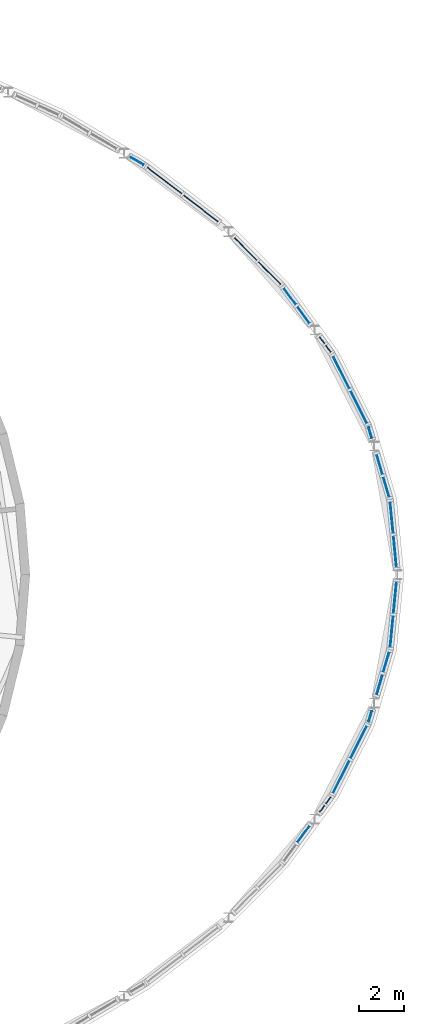
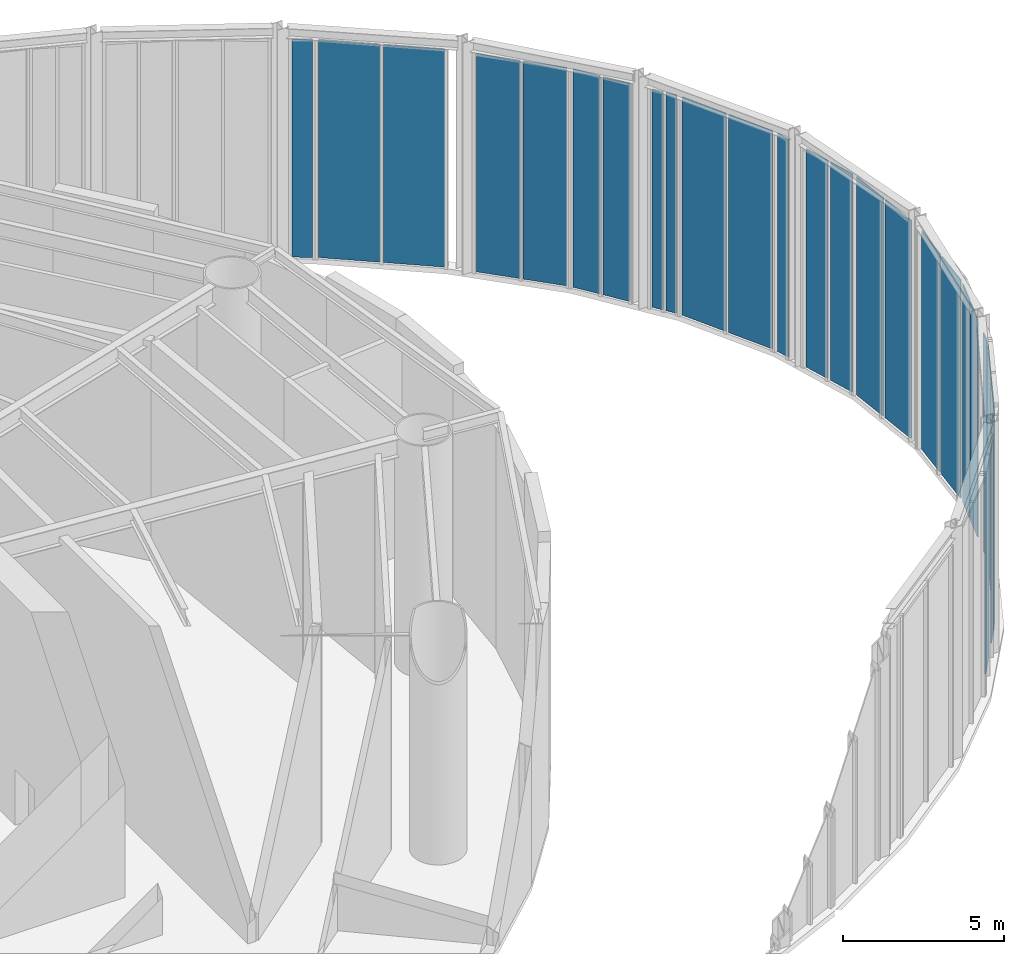
# One storey, part 13 of 19: 26 plates, 15 elements without a shape of their own.
"""IFC4 building model written with IfcOpenShell, lengths in metres."""

from ifc_helpers import new_model, si_unit, direction, frame, origin, origin_2d, place, context, subcontext, project, spatial, rectangle, extrude, material, layer, layer_set, type_object, element, aggregate, save


model = new_model("IFC4")

# Units and contexts
model_context = context("Model", 3, precision=1e-05, world=origin(), true_north=direction((0.0, 1.0)))
body_context = subcontext(model_context, "Body", "Model", "MODEL_VIEW")
ifc_project = project(units=[si_unit("LENGTHUNIT", "METRE"), si_unit("AREAUNIT", "SQUARE_METRE"), si_unit("VOLUMEUNIT", "CUBIC_METRE"), si_unit("PLANEANGLEUNIT", "RADIAN"), si_unit("MASSUNIT", "GRAM", prefix="KILO")], contexts=[model_context])

# Site, building, storey
site_placement = place(None, origin())
site = spatial("IfcSite", under=ifc_project, at=site_placement, CompositionType="ELEMENT")
building_placement = place(site_placement, origin())
building = spatial("IfcBuilding", under=site, at=building_placement, Name="Vermilion Reach Broadcast Tower", CompositionType="ELEMENT")
storey_placement = place(building_placement, frame((0.0, 0.0, 8.0)))
storey = spatial("IfcBuildingStorey", under=building, at=storey_placement, Name="L01", CompositionType="ELEMENT", Elevation=8.0)

# Curtain wall, plate
ifc_material_1 = material(Name="Low-e laminated clear glass in aluminium frame", Category="aluminium")
curtain_wall_type = type_object("IfcCurtainWallType", Name="Atrium outer wall curtain wall", PredefinedType="NOTDEFINED", material=ifc_material_1)
placement = place(storey_placement, origin())
curtain_wall_1 = element("IfcCurtainWall", 1, at=placement, inside=storey, type_object=curtain_wall_type, Name="Atrium wall L01 08-1", PredefinedType="NOTDEFINED")
ifc_material_2 = material(Name="Low-e laminated clear glass", Category="glass")
ifc_layer = layer(ifc_material_2, 0.035888671875)
ifc_layer_set = layer_set([ifc_layer], Name="Atrium outer wall glass panel")
plate_type = type_object("IfcPlateType", Name="Atrium outer wall glass panel", PredefinedType="CURTAIN_PANEL", material=ifc_layer_set)
plate_1_placement = place(storey_placement, frame((35.539794921875, -11.52294921875, 0.0), z_axis=(0.0, 0.0, 1.0), x_axis=(0.590759824697, 0.806847463604, 0.0)))
plate_1 = element("IfcPlate", 2, at=plate_1_placement, type_object=plate_type, Name="Atrium wall glass panel L01 08-1.2.1", PredefinedType="CURTAIN_PANEL", context=body_context, shape_type="SweptSolid", body=[
    extrude(rectangle(XDim=0.92578125, YDim=0.035888671875, at=origin_2d()), origin(), (0.0, 0.0, 1.0), 8.2900390625),
])
aggregate(curtain_wall_1, [plate_1])

# Curtain wall, plates
curtain_wall_2 = element("IfcCurtainWall", 3, at=placement, inside=storey, type_object=curtain_wall_type, Name="Atrium wall L01 08-2", PredefinedType="NOTDEFINED")
plate_2_placement = place(storey_placement, frame((36.36328125, -10.39794921875, 0.0), z_axis=(0.0, 0.0, 1.0), x_axis=(0.590759824697, 0.806847463604, 0.0)))
plate_2 = element("IfcPlate", 4, at=plate_2_placement, type_object=plate_type, Name="Atrium wall glass panel L01 08-2.1.1", PredefinedType="CURTAIN_PANEL", context=body_context, shape_type="SweptSolid", body=[
    extrude(rectangle(XDim=0.36669921875, YDim=0.035888671875, at=origin_2d()), origin(), (0.0, 0.0, 1.0), 8.2900390625),
])
plate_3_placement = place(storey_placement, frame((36.63916015625, -10.021240234375, 0.0), z_axis=(0.0, 0.0, 1.0), x_axis=(0.590759824697, 0.806847463604, 0.0)))
plate_3 = element("IfcPlate", 5, at=plate_3_placement, type_object=plate_type, Name="Atrium wall glass panel L01 08-2.2.1", PredefinedType="CURTAIN_PANEL", context=body_context, shape_type="SweptSolid", body=[
    extrude(rectangle(XDim=0.36669921875, YDim=0.035888671875, at=origin_2d()), origin(), (0.0, 0.0, 1.0), 8.2900390625),
])
aggregate(curtain_wall_2, [plate_2, plate_3])

curtain_wall_3 = element("IfcCurtainWall", 6, at=placement, inside=storey, type_object=curtain_wall_type, Name="Atrium wall L01 09", PredefinedType="NOTDEFINED")
plate_4_placement = place(storey_placement, frame((37.2177734375, -8.976806640625, 0.0), z_axis=(0.0, 0.0, 1.0), x_axis=(0.450071784356, 0.892992378986, 0.0)))
plate_4 = element("IfcPlate", 7, at=plate_4_placement, type_object=plate_type, Name="Atrium wall glass panel L01 09.1.1", PredefinedType="CURTAIN_PANEL", context=body_context, shape_type="SweptSolid", body=[
    extrude(rectangle(XDim=1.627197265625, YDim=0.035888671875, at=origin_2d()), origin(), (0.0, 0.0, 1.0), 8.2900390625),
])
plate_5_placement = place(storey_placement, frame((37.9951171875, -7.434326171875, 0.0), z_axis=(0.0, 0.0, 1.0), x_axis=(0.450071784356, 0.892992378986, 0.0)))
plate_5 = element("IfcPlate", 8, at=plate_5_placement, type_object=plate_type, Name="Atrium wall glass panel L01 09.2.1", PredefinedType="CURTAIN_PANEL", context=body_context, shape_type="SweptSolid", body=[
    extrude(rectangle(XDim=1.627197265625, YDim=0.035888671875, at=origin_2d()), origin(), (0.0, 0.0, 1.0), 8.2900390625),
])
aggregate(curtain_wall_3, [plate_4, plate_5])

# Curtain wall, plate
curtain_wall_4 = element("IfcCurtainWall", 9, at=placement, inside=storey, type_object=curtain_wall_type, Name="Atrium wall L01 10-1", PredefinedType="NOTDEFINED")
plate_6_placement = place(storey_placement, frame((38.5029296875, -6.291259765625, 0.0), z_axis=(0.0, 0.0, 1.0), x_axis=(0.283245086397, 0.959047559317, 0.0)))
plate_6 = element("IfcPlate", 10, at=plate_6_placement, type_object=plate_type, Name="Atrium wall glass panel L01 10-1.1.1", PredefinedType="CURTAIN_PANEL", context=body_context, shape_type="SweptSolid", body=[
    extrude(rectangle(XDim=0.48193359375, YDim=0.035888671875, at=origin_2d()), origin(), (0.0, 0.0, 1.0), 8.2900390625),
])
aggregate(curtain_wall_4, [plate_6])

# Curtain wall, plates
curtain_wall_5 = element("IfcCurtainWall", 11, at=placement, inside=storey, type_object=curtain_wall_type, Name="Atrium wall L01 10-2", PredefinedType="NOTDEFINED")
plate_7_placement = place(storey_placement, frame((38.917236328125, -4.88916015625, 0.0), z_axis=(0.0, 0.0, 1.0), x_axis=(0.283245086397, 0.959047559317, 0.0)))
plate_7 = element("IfcPlate", 12, at=plate_7_placement, type_object=plate_type, Name="Atrium wall glass panel L01 10-2.1.1", PredefinedType="CURTAIN_PANEL", context=body_context, shape_type="SweptSolid", body=[
    extrude(rectangle(XDim=0.9462890625, YDim=0.035888671875, at=origin_2d()), origin(), (0.0, 0.0, 1.0), 8.2900390625),
])
plate_8_placement = place(storey_placement, frame((39.21337890625, -3.8857421875, 0.0), z_axis=(0.0, 0.0, 1.0), x_axis=(0.283245086397, 0.959047559317, 0.0)))
plate_8 = element("IfcPlate", 13, at=plate_8_placement, type_object=plate_type, Name="Atrium wall glass panel L01 10-2.2.1", PredefinedType="CURTAIN_PANEL", context=body_context, shape_type="SweptSolid", body=[
    extrude(rectangle(XDim=0.9462890625, YDim=0.035888671875, at=origin_2d()), origin(), (0.0, 0.0, 1.0), 8.2900390625),
])
aggregate(curtain_wall_5, [plate_7, plate_8])

curtain_wall_6 = element("IfcCurtainWall", 14, at=placement, inside=storey, type_object=curtain_wall_type, Name="Atrium wall L01 11", PredefinedType="NOTDEFINED")
plate_9_placement = place(storey_placement, frame((39.4541015625, -2.530517578125, 0.0), z_axis=(0.0, 0.0, 1.0), x_axis=(0.096860665643, 0.995297951094, 0.0)))
plate_9 = element("IfcPlate", 15, at=plate_9_placement, type_object=plate_type, Name="Atrium wall glass panel L01 11.1.1", PredefinedType="CURTAIN_PANEL", context=body_context, shape_type="SweptSolid", body=[
    extrude(rectangle(XDim=1.4189453125, YDim=0.035888671875, at=origin_2d()), origin(), (0.0, 0.0, 1.0), 8.2900390625),
])
plate_10_placement = place(storey_placement, frame((39.601318359375, -1.0185546875, 0.0), z_axis=(0.0, 0.0, 1.0), x_axis=(0.096860665643, 0.995297951094, 0.0)))
plate_10 = element("IfcPlate", 16, at=plate_10_placement, type_object=plate_type, Name="Atrium wall glass panel L01 11.2.1", PredefinedType="CURTAIN_PANEL", context=body_context, shape_type="SweptSolid", body=[
    extrude(rectangle(XDim=1.4189453125, YDim=0.035888671875, at=origin_2d()), origin(), (0.0, 0.0, 1.0), 8.2900390625),
])
aggregate(curtain_wall_6, [plate_9, plate_10])

curtain_wall_7 = element("IfcCurtainWall", 17, at=placement, inside=storey, type_object=curtain_wall_type, Name="Atrium wall L01 12", PredefinedType="NOTDEFINED")
plate_11_placement = place(storey_placement, frame((39.601318359375, 1.0185546875, 0.0), z_axis=(0.0, 0.0, 1.0), x_axis=(-0.096860665643, 0.995297951094, 0.0)))
plate_11 = element("IfcPlate", 18, at=plate_11_placement, type_object=plate_type, Name="Atrium wall glass panel L01 12.1.1", PredefinedType="CURTAIN_PANEL", context=body_context, shape_type="SweptSolid", body=[
    extrude(rectangle(XDim=1.4189453125, YDim=0.035888671875, at=origin_2d()), origin(), (0.0, 0.0, 1.0), 8.2900390625),
])
plate_12_placement = place(storey_placement, frame((39.4541015625, 2.530517578125, 0.0), z_axis=(0.0, 0.0, 1.0), x_axis=(-0.096860665643, 0.995297951094, 0.0)))
plate_12 = element("IfcPlate", 19, at=plate_12_placement, type_object=plate_type, Name="Atrium wall glass panel L01 12.2.1", PredefinedType="CURTAIN_PANEL", context=body_context, shape_type="SweptSolid", body=[
    extrude(rectangle(XDim=1.4189453125, YDim=0.035888671875, at=origin_2d()), origin(), (0.0, 0.0, 1.0), 8.2900390625),
])
aggregate(curtain_wall_7, [plate_11, plate_12])

curtain_wall_8 = element("IfcCurtainWall", 20, at=placement, inside=storey, type_object=curtain_wall_type, Name="Atrium wall L01 13-1", PredefinedType="NOTDEFINED")
plate_13_placement = place(storey_placement, frame((39.21337890625, 3.8857421875, 0.0), z_axis=(0.0, 0.0, 1.0), x_axis=(-0.283245086397, 0.959047559317, 0.0)))
plate_13 = element("IfcPlate", 21, at=plate_13_placement, type_object=plate_type, Name="Atrium wall glass panel L01 13-1.1.1", PredefinedType="CURTAIN_PANEL", context=body_context, shape_type="SweptSolid", body=[
    extrude(rectangle(XDim=0.9462890625, YDim=0.035888671875, at=origin_2d()), origin(), (0.0, 0.0, 1.0), 8.2900390625),
])
plate_14_placement = place(storey_placement, frame((38.917236328125, 4.88916015625, 0.0), z_axis=(0.0, 0.0, 1.0), x_axis=(-0.283245086397, 0.959047559317, 0.0)))
plate_14 = element("IfcPlate", 22, at=plate_14_placement, type_object=plate_type, Name="Atrium wall glass panel L01 13-1.2.1", PredefinedType="CURTAIN_PANEL", context=body_context, shape_type="SweptSolid", body=[
    extrude(rectangle(XDim=0.9462890625, YDim=0.035888671875, at=origin_2d()), origin(), (0.0, 0.0, 1.0), 8.2900390625),
])
aggregate(curtain_wall_8, [plate_13, plate_14])

# Curtain wall, plate
curtain_wall_9 = element("IfcCurtainWall", 23, at=placement, inside=storey, type_object=curtain_wall_type, Name="Atrium wall L01 13-2", PredefinedType="NOTDEFINED")
plate_15_placement = place(storey_placement, frame((38.5029296875, 6.291259765625, 0.0), z_axis=(0.0, 0.0, 1.0), x_axis=(-0.283245086397, 0.959047559317, 0.0)))
plate_15 = element("IfcPlate", 24, at=plate_15_placement, type_object=plate_type, Name="Atrium wall glass panel L01 13-2.1.1", PredefinedType="CURTAIN_PANEL", context=body_context, shape_type="SweptSolid", body=[
    extrude(rectangle(XDim=0.48193359375, YDim=0.035888671875, at=origin_2d()), origin(), (0.0, 0.0, 1.0), 8.2900390625),
])
aggregate(curtain_wall_9, [plate_15])

# Curtain wall, plates
curtain_wall_10 = element("IfcCurtainWall", 25, at=placement, inside=storey, type_object=curtain_wall_type, Name="Atrium wall L01 14", PredefinedType="NOTDEFINED")
plate_16_placement = place(storey_placement, frame((37.9951171875, 7.434326171875, 0.0), z_axis=(0.0, 0.0, 1.0), x_axis=(-0.450071784356, 0.892992378986, 0.0)))
plate_16 = element("IfcPlate", 26, at=plate_16_placement, type_object=plate_type, Name="Atrium wall glass panel L01 14.1.1", PredefinedType="CURTAIN_PANEL", context=body_context, shape_type="SweptSolid", body=[
    extrude(rectangle(XDim=1.627197265625, YDim=0.035888671875, at=origin_2d()), origin(), (0.0, 0.0, 1.0), 8.2900390625),
])
plate_17_placement = place(storey_placement, frame((37.2177734375, 8.976806640625, 0.0), z_axis=(0.0, 0.0, 1.0), x_axis=(-0.450071784356, 0.892992378986, 0.0)))
plate_17 = element("IfcPlate", 27, at=plate_17_placement, type_object=plate_type, Name="Atrium wall glass panel L01 14.2.1", PredefinedType="CURTAIN_PANEL", context=body_context, shape_type="SweptSolid", body=[
    extrude(rectangle(XDim=1.627197265625, YDim=0.035888671875, at=origin_2d()), origin(), (0.0, 0.0, 1.0), 8.2900390625),
])
aggregate(curtain_wall_10, [plate_16, plate_17])

curtain_wall_11 = element("IfcCurtainWall", 28, at=placement, inside=storey, type_object=curtain_wall_type, Name="Atrium wall L01 15-1", PredefinedType="NOTDEFINED")
plate_18_placement = place(storey_placement, frame((36.63916015625, 10.021240234375, 0.0), z_axis=(0.0, 0.0, 1.0), x_axis=(-0.590759824697, 0.806847463604, 0.0)))
plate_18 = element("IfcPlate", 29, at=plate_18_placement, type_object=plate_type, Name="Atrium wall glass panel L01 15-1.1.1", PredefinedType="CURTAIN_PANEL", context=body_context, shape_type="SweptSolid", body=[
    extrude(rectangle(XDim=0.36669921875, YDim=0.035888671875, at=origin_2d()), origin(), (0.0, 0.0, 1.0), 8.2900390625),
])
plate_19_placement = place(storey_placement, frame((36.36328125, 10.39794921875, 0.0), z_axis=(0.0, 0.0, 1.0), x_axis=(-0.590759824697, 0.806847463604, 0.0)))
plate_19 = element("IfcPlate", 30, at=plate_19_placement, type_object=plate_type, Name="Atrium wall glass panel L01 15-1.2.1", PredefinedType="CURTAIN_PANEL", context=body_context, shape_type="SweptSolid", body=[
    extrude(rectangle(XDim=0.36669921875, YDim=0.035888671875, at=origin_2d()), origin(), (0.0, 0.0, 1.0), 8.2900390625),
])
aggregate(curtain_wall_11, [plate_18, plate_19])

curtain_wall_12 = element("IfcCurtainWall", 31, at=placement, inside=storey, type_object=curtain_wall_type, Name="Atrium wall L01 15-2", PredefinedType="NOTDEFINED")
plate_20_placement = place(storey_placement, frame((35.539794921875, 11.52294921875, 0.0), z_axis=(0.0, 0.0, 1.0), x_axis=(-0.590759824697, 0.806847463604, 0.0)))
plate_20 = element("IfcPlate", 32, at=plate_20_placement, type_object=plate_type, Name="Atrium wall glass panel L01 15-2.1.1", PredefinedType="CURTAIN_PANEL", context=body_context, shape_type="SweptSolid", body=[
    extrude(rectangle(XDim=0.92578125, YDim=0.035888671875, at=origin_2d()), origin(), (0.0, 0.0, 1.0), 8.2900390625),
])
plate_21_placement = place(storey_placement, frame((34.93359375, 12.3505859375, 0.0), z_axis=(0.0, 0.0, 1.0), x_axis=(-0.590759824697, 0.806847463604, 0.0)))
plate_21 = element("IfcPlate", 33, at=plate_21_placement, type_object=plate_type, Name="Atrium wall glass panel L01 15-2.2.1", PredefinedType="CURTAIN_PANEL", context=body_context, shape_type="SweptSolid", body=[
    extrude(rectangle(XDim=0.92578125, YDim=0.035888671875, at=origin_2d()), origin(), (0.0, 0.0, 1.0), 8.2900390625),
])
aggregate(curtain_wall_12, [plate_20, plate_21])

curtain_wall_13 = element("IfcCurtainWall", 34, at=placement, inside=storey, type_object=curtain_wall_type, Name="Atrium wall L01 16", PredefinedType="NOTDEFINED")
plate_22_placement = place(storey_placement, frame((34.034423828125, 13.3759765625, 0.0), z_axis=(0.0, 0.0, 1.0), x_axis=(-0.704276337997, 0.709925939614, 0.0)))
plate_22 = element("IfcPlate", 35, at=plate_22_placement, type_object=plate_type, Name="Atrium wall glass panel L01 16.1.1", PredefinedType="CURTAIN_PANEL", context=body_context, shape_type="SweptSolid", body=[
    extrude(rectangle(XDim=1.4091796875, YDim=0.035888671875, at=origin_2d()), origin(), (0.0, 0.0, 1.0), 8.2900390625),
])
plate_23_placement = place(storey_placement, frame((32.971435546875, 14.447509765625, 0.0), z_axis=(0.0, 0.0, 1.0), x_axis=(-0.704276337997, 0.709925939614, 0.0)))
plate_23 = element("IfcPlate", 36, at=plate_23_placement, type_object=plate_type, Name="Atrium wall glass panel L01 16.2.1", PredefinedType="CURTAIN_PANEL", context=body_context, shape_type="SweptSolid", body=[
    extrude(rectangle(XDim=1.4091796875, YDim=0.035888671875, at=origin_2d()), origin(), (0.0, 0.0, 1.0), 8.2900390625),
])
aggregate(curtain_wall_13, [plate_22, plate_23])

curtain_wall_14 = element("IfcCurtainWall", 37, at=placement, inside=storey, type_object=curtain_wall_type, Name="Atrium wall L01 17", PredefinedType="NOTDEFINED")
plate_24_placement = place(storey_placement, frame((30.981201171875, 16.2509765625, 0.0), z_axis=(0.0, 0.0, 1.0), x_axis=(-0.793082736826, 0.609113924113, 0.0)))
plate_24 = element("IfcPlate", 38, at=plate_24_placement, type_object=plate_type, Name="Atrium wall glass panel L01 17.1.1", PredefinedType="CURTAIN_PANEL", context=body_context, shape_type="SweptSolid", body=[
    extrude(rectangle(XDim=1.9296875, YDim=0.035888671875, at=origin_2d()), origin(), (0.0, 0.0, 1.0), 8.2900390625),
])
plate_25_placement = place(storey_placement, frame((29.37158203125, 17.4873046875, 0.0), z_axis=(0.0, 0.0, 1.0), x_axis=(-0.793082736826, 0.609113924113, 0.0)))
plate_25 = element("IfcPlate", 39, at=plate_25_placement, type_object=plate_type, Name="Atrium wall glass panel L01 17.2.1", PredefinedType="CURTAIN_PANEL", context=body_context, shape_type="SweptSolid", body=[
    extrude(rectangle(XDim=1.9296875, YDim=0.035888671875, at=origin_2d()), origin(), (0.0, 0.0, 1.0), 8.2900390625),
])
aggregate(curtain_wall_14, [plate_24, plate_25])

# Curtain wall, plate
curtain_wall_15 = element("IfcCurtainWall", 40, at=placement, inside=storey, type_object=curtain_wall_type, Name="Atrium wall L01 18-1", PredefinedType="NOTDEFINED")
plate_26_placement = place(storey_placement, frame((28.166748046875, 18.348876953125, 0.0), z_axis=(0.0, 0.0, 1.0), x_axis=(-0.861009057017, 0.508589622127, 0.0)))
plate_26 = element("IfcPlate", 41, at=plate_26_placement, type_object=plate_type, Name="Atrium wall glass panel L01 18-1.1.1", PredefinedType="CURTAIN_PANEL", context=body_context, shape_type="SweptSolid", body=[
    extrude(rectangle(XDim=0.636474609375, YDim=0.035888671875, at=origin_2d()), origin(), (0.0, 0.0, 1.0), 8.2900390625),
])
aggregate(curtain_wall_15, [plate_26])

save(model, "model.ifc")
